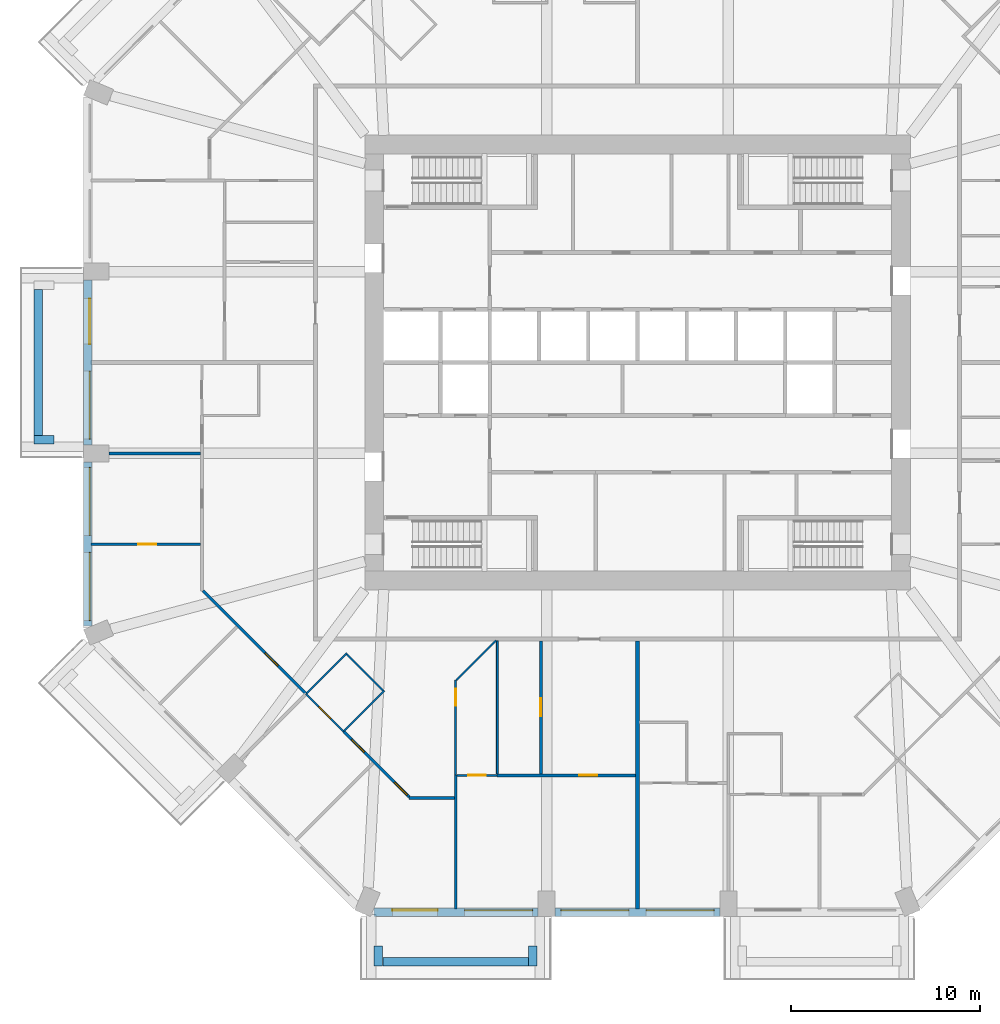
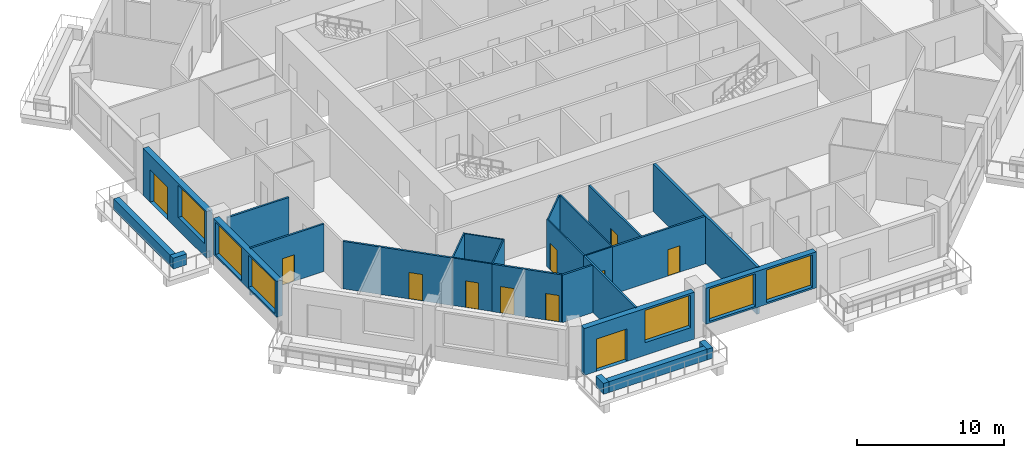
# One storey, part 3 of 13: 26 walls, 11 doors, 6 windows, 17 openings.
"""IFC4 building model written with IfcOpenShell, lengths in metres."""

from ifc_helpers import new_model, si_unit, direction, frame, frame_2d, origin, place, context, subcontext, project, spatial, rectangle, extrude, material, layer, layer_set, type_object, element, fill, save


model = new_model("IFC4")

# Units and contexts
model_context = context("Model", 3, precision=1e-05, world=origin(), true_north=direction((0.0, 1.0)))
body_context = subcontext(model_context, "Body", "Model", "MODEL_VIEW")
ifc_project = project(units=[si_unit("LENGTHUNIT", "METRE"), si_unit("AREAUNIT", "SQUARE_METRE"), si_unit("VOLUMEUNIT", "CUBIC_METRE"), si_unit("PLANEANGLEUNIT", "RADIAN"), si_unit("MASSUNIT", "GRAM", prefix="KILO")], contexts=[model_context])

# Site, building, storey
site_placement = place(None, origin())
site = spatial("IfcSite", under=ifc_project, at=site_placement, CompositionType="ELEMENT")
building_placement = place(site_placement, origin())
building = spatial("IfcBuilding", under=site, at=building_placement, Name="Msitu Wima Residences", CompositionType="ELEMENT")
storey_placement = place(building_placement, frame((0.0, 0.0, 46.5)))
storey = spatial("IfcBuildingStorey", under=building, at=storey_placement, Name="L10", CompositionType="ELEMENT", Elevation=46.5)

# Walls
ifc_material_1 = material(Name="Facing brick")
ifc_layer_1 = layer(ifc_material_1, 0.06494140625, Name="Facing brick")
ifc_material_2 = material(Name="Concrete C40/50", Category="concrete")
ifc_layer_2 = layer(ifc_material_2, 0.156005859375, Name="Concrete C40/50")
ifc_material_3 = material(Name="Waterproofing membrane")
ifc_layer_3 = layer(ifc_material_3, 0.00390625, Name="Waterproofing membrane")
ifc_material_4 = material(Name="Planting soil and planting")
ifc_layer_4 = layer(ifc_material_4, 0.22509765625, Name="Planting soil and planting")
ifc_layer_set_1 = layer_set([ifc_layer_1, ifc_layer_2, ifc_layer_3, ifc_layer_4], Name="Concrete C40/50")
wall_type_1 = type_object("IfcWallType", Name="Balcony planter PLANTER PL450", PredefinedType="USERDEFINED", material=ifc_layer_set_1)
wall_1_placement = place(storey_placement, frame((-31.625, 3.85009765625, 0.0), z_axis=(0.0, 0.0, 1.0), x_axis=(0.0, -1.0, 0.0)))
element("IfcWall", 1, at=wall_1_placement, inside=storey, type_object=wall_type_1, Name="Balcony planter W1 L10", ObjectType="PLANTER", PredefinedType="USERDEFINED", context=body_context, shape_type="SweptSolid", body=[
    extrude(rectangle(XDim=7.7001953125, YDim=0.449951171875, at=frame_2d((3.85009765625, 0.0))), origin(), (0.0, 0.0, 1.0), 0.89990234375),
])
wall_2_placement = place(storey_placement, frame((-30.800048828125, -4.074951171875, 0.0), z_axis=(0.0, 0.0, 1.0), x_axis=(-1.0, 0.0, 0.0)))
element("IfcWall", 2, at=wall_2_placement, inside=storey, type_object=wall_type_1, Name="Balcony planter W1 L10", ObjectType="PLANTER", PredefinedType="USERDEFINED", context=body_context, shape_type="SweptSolid", body=[
    extrude(rectangle(XDim=1.050048828125, YDim=0.449951171875, at=frame_2d((0.52490234375, 0.0))), origin(), (0.0, 0.0, 1.0), 0.89990234375),
])
wall_3_placement = place(storey_placement, frame((-13.449951171875, -31.625, 0.0), z_axis=(0.0, 0.0, 1.0), x_axis=(1.0, 0.0, 0.0)))
element("IfcWall", 3, at=wall_3_placement, inside=storey, type_object=wall_type_1, Name="Balcony planter S0 L10", ObjectType="PLANTER", PredefinedType="USERDEFINED", context=body_context, shape_type="SweptSolid", body=[
    extrude(rectangle(XDim=7.699951171875, YDim=0.449951171875, at=frame_2d((3.85009765625, 0.0))), origin(), (0.0, 0.0, 1.0), 0.89990234375),
])
for number, where, z_axis, x_axis, name in (
    (4, (-13.675048828125, -30.800048828125, 0.0), (0.0, 0.0, 1.0), (0.0, -1.0, 0.0), "Balcony planter S0 L10"),
    (5, (-5.52490234375, -30.800048828125, 0.0), (0.0, 0.0, 1.0), (0.0, -1.0, 0.0), "Balcony planter S0 L10"),
):
    element("IfcWall", number, at=place(storey_placement, frame(where, z_axis=z_axis, x_axis=x_axis)), inside=storey, type_object=wall_type_1, Name=name, ObjectType="PLANTER", PredefinedType="USERDEFINED", context=body_context, shape_type="SweptSolid", body=[
        extrude(rectangle(XDim=1.050048828125, YDim=0.449951171875, at=frame_2d((0.52490234375, 0.0))), origin(), (0.0, 0.0, 1.0), 0.89990234375),
    ])

# Wall, openings, door, window
ifc_material_5 = material(Name="Brick (red buff mix)", Category="masonry")
ifc_layer_5 = layer(ifc_material_5, 0.449951171875)
ifc_layer_set_2 = layer_set([ifc_layer_5], Name="Brick (red buff mix)")
wall_type_2 = type_object("IfcWallType", Name="Brick infill wall BW450", PredefinedType="SOLIDWALL", material=ifc_layer_set_2)
wall_4_placement = place(storey_placement, frame((-29.02490234375, 4.35009765625, 0.0), z_axis=(0.0, 0.0, 1.0), x_axis=(0.0, -1.0, 0.0)))
wall_4 = element("IfcWall", 6, at=wall_4_placement, inside=storey, type_object=wall_type_2, Name="Brick infill wall L10 W1", PredefinedType="SOLIDWALL", context=body_context, shape_type="SweptSolid", body=[
    extrude(rectangle(XDim=8.7001953125, YDim=0.449951171875, at=frame_2d((4.35009765625, 0.0))), origin(), (0.0, 0.0, 1.0), 3.89990234375),
])
opening_1_placement = place(wall_4_placement, frame((0.97509765625, 0.0, 0.0)))
opening_1 = element("IfcOpeningElement", 7, at=opening_1_placement, cuts=wall_4, Name="Opening D08-10.010", PredefinedType="OPENING", context=body_context, shape_type="SweptSolid", body=[
    extrude(rectangle(XDim=2.39990234375, YDim=2.699951171875, at=frame_2d((1.199951171875, 1.35009765625))), frame((0.0, 0.23486328125, 0.0), z_axis=(0.0, -1.0, 0.0), x_axis=(1.0, 0.0, 0.0)), (0.0, 0.0, 1.0), 0.469970703125),
])
opening_2_placement = place(wall_4_placement, frame((4.800048828125, 0.0, 1.050048828125)))
opening_2 = element("IfcOpeningElement", 8, at=opening_2_placement, cuts=wall_4, Name="Opening W08-10.028", PredefinedType="OPENING", context=body_context, shape_type="SweptSolid", body=[
    extrude(rectangle(XDim=3.60009765625, YDim=2.699951171875, at=frame_2d((1.800048828125, 1.35009765625))), frame((0.0, 0.23486328125, 0.0), z_axis=(0.0, -1.0, 0.0), x_axis=(1.0, 0.0, 0.0)), (0.0, 0.0, 1.0), 0.469970703125),
])
ifc_material_6 = material(Name="Anodised aluminium, bronze finish, clear low-emissivity double glazing", Category="aluminium")
door_type_1 = type_object("IfcDoorType", Name="Balcony door D2400x2700", OperationType="SLIDING_TO_LEFT", PredefinedType="DOOR", material=ifc_material_6)
door_1_placement = place(opening_1_placement, origin())
door_1 = element("IfcDoor", 9, at=door_1_placement, inside=storey, type_object=door_type_1, Name="Balcony door L10 W1", OperationType="SINGLE_SWING_LEFT", OverallHeight=2.699951171875, OverallWidth=2.39990234375, PredefinedType="DOOR", context=body_context, shape_type="SweptSolid", body=[
    extrude(rectangle(XDim=2.39990234375, YDim=2.699951171875, at=frame_2d((1.199951171875, 1.35009765625))), frame((0.0, 0.1298828125, 0.0), z_axis=(0.0, -1.0, 0.0), x_axis=(1.0, 0.0, 0.0)), (0.0, 0.0, 1.0), 0.050048828125),
])
fill(opening_1, door_1)
window_type = type_object("IfcWindowType", Name="Window W3600x2700", PartitioningType="DOUBLE_PANEL_VERTICAL", PredefinedType="WINDOW", material=ifc_material_6)
window_1_placement = place(opening_2_placement, origin())
window_1 = element("IfcWindow", 10, at=window_1_placement, inside=storey, type_object=window_type, Name="Window L10 W1.2", OverallHeight=2.699951171875, OverallWidth=3.60009765625, PartitioningType="SINGLE_PANEL", PredefinedType="WINDOW", context=body_context, shape_type="SweptSolid", body=[
    extrude(rectangle(XDim=3.60009765625, YDim=2.699951171875, at=frame_2d((1.800048828125, 1.35009765625))), frame((0.0, 0.135009765625, 0.0), z_axis=(0.0, -1.0, 0.0), x_axis=(1.0, 0.0, 0.0)), (0.0, 0.0, 1.0), 0.06005859375),
])
fill(opening_2, window_1)

# Wall, openings, windows
wall_5_placement = place(storey_placement, frame((-29.02490234375, -5.25, 0.89990234375), z_axis=(0.0, 0.0, 1.0), x_axis=(0.0, -1.0, 0.0)))
wall_5 = element("IfcWall", 11, at=wall_5_placement, inside=storey, type_object=wall_type_2, Name="Brick infill wall L10 W2", PredefinedType="SOLIDWALL", context=body_context, shape_type="SweptSolid", body=[
    extrude(rectangle(XDim=8.662841796875, YDim=0.449951171875, at=frame_2d((4.33154296875, 0.0))), origin(), (0.0, 0.0, 1.0), 3.0),
])
opening_3_placement = place(wall_5_placement, frame((0.281494140625, 0.0, 0.14990234375)))
opening_3 = element("IfcOpeningElement", 12, at=opening_3_placement, cuts=wall_5, Name="Opening W08-10.029", PredefinedType="OPENING", context=body_context, shape_type="SweptSolid", body=[
    extrude(rectangle(XDim=3.60009765625, YDim=2.699951171875, at=frame_2d((1.800048828125, 1.35009765625))), frame((0.0, 0.23486328125, 0.0), z_axis=(0.0, -1.0, 0.0), x_axis=(1.0, 0.0, 0.0)), (0.0, 0.0, 1.0), 0.469970703125),
])
opening_4_placement = place(wall_5_placement, frame((4.781494140625, 0.0, 0.14990234375)))
opening_4 = element("IfcOpeningElement", 13, at=opening_4_placement, cuts=wall_5, Name="Opening W08-10.030", PredefinedType="OPENING", context=body_context, shape_type="SweptSolid", body=[
    extrude(rectangle(XDim=3.60009765625, YDim=2.699951171875, at=frame_2d((1.800048828125, 1.35009765625))), frame((0.0, 0.23486328125, 0.0), z_axis=(0.0, -1.0, 0.0), x_axis=(1.0, 0.0, 0.0)), (0.0, 0.0, 1.0), 0.469970703125),
])
window_2_placement = place(opening_3_placement, origin())
window_2 = element("IfcWindow", 14, at=window_2_placement, inside=storey, type_object=window_type, Name="Window L10 W2.1", OverallHeight=2.699951171875, OverallWidth=3.60009765625, PartitioningType="SINGLE_PANEL", PredefinedType="WINDOW", context=body_context, shape_type="SweptSolid", body=[
    extrude(rectangle(XDim=3.60009765625, YDim=2.699951171875, at=frame_2d((1.800048828125, 1.35009765625))), frame((0.0, 0.135009765625, 0.0), z_axis=(0.0, -1.0, 0.0), x_axis=(1.0, 0.0, 0.0)), (0.0, 0.0, 1.0), 0.06005859375),
])
fill(opening_3, window_2)
window_3_placement = place(opening_4_placement, origin())
window_3 = element("IfcWindow", 15, at=window_3_placement, inside=storey, type_object=window_type, Name="Window L10 W2.2", OverallHeight=2.699951171875, OverallWidth=3.60009765625, PartitioningType="SINGLE_PANEL", PredefinedType="WINDOW", context=body_context, shape_type="SweptSolid", body=[
    extrude(rectangle(XDim=3.60009765625, YDim=2.699951171875, at=frame_2d((1.800048828125, 1.35009765625))), frame((0.0, 0.135009765625, 0.0), z_axis=(0.0, -1.0, 0.0), x_axis=(1.0, 0.0, 0.0)), (0.0, 0.0, 1.0), 0.06005859375),
])
fill(opening_4, window_3)

# Wall, openings, door, window
wall_6_placement = place(storey_placement, frame((-13.912841796875, -29.02490234375, 0.0), z_axis=(0.0, 0.0, 1.0), x_axis=(1.0, 0.0, 0.0)))
wall_6 = element("IfcWall", 16, at=wall_6_placement, inside=storey, type_object=wall_type_2, Name="Brick infill wall L10 S0", PredefinedType="SOLIDWALL", context=body_context, shape_type="SweptSolid", body=[
    extrude(rectangle(XDim=8.662841796875, YDim=0.449951171875, at=frame_2d((4.33154296875, 0.0))), origin(), (0.0, 0.0, 1.0), 3.89990234375),
])
opening_5_placement = place(wall_6_placement, frame((0.9658203125, 0.0, 0.0)))
opening_5 = element("IfcOpeningElement", 17, at=opening_5_placement, cuts=wall_6, Name="Opening D08-10.006", PredefinedType="OPENING", context=body_context, shape_type="SweptSolid", body=[
    extrude(rectangle(XDim=2.39990234375, YDim=2.699951171875, at=frame_2d((1.199951171875, 1.35009765625))), frame((0.0, 0.23486328125, 0.0), z_axis=(0.0, -1.0, 0.0), x_axis=(1.0, 0.0, 0.0)), (0.0, 0.0, 1.0), 0.469970703125),
])
opening_6_placement = place(wall_6_placement, frame((4.781494140625, 0.0, 1.050048828125)))
opening_6 = element("IfcOpeningElement", 18, at=opening_6_placement, cuts=wall_6, Name="Opening W08-10.016", PredefinedType="OPENING", context=body_context, shape_type="SweptSolid", body=[
    extrude(rectangle(XDim=3.60009765625, YDim=2.699951171875, at=frame_2d((1.800048828125, 1.35009765625))), frame((0.0, 0.23486328125, 0.0), z_axis=(0.0, -1.0, 0.0), x_axis=(1.0, 0.0, 0.0)), (0.0, 0.0, 1.0), 0.469970703125),
])
door_2_placement = place(opening_5_placement, origin())
door_2 = element("IfcDoor", 19, at=door_2_placement, inside=storey, type_object=door_type_1, Name="Balcony door L10 S0", OperationType="SINGLE_SWING_LEFT", OverallHeight=2.699951171875, OverallWidth=2.39990234375, PredefinedType="DOOR", context=body_context, shape_type="SweptSolid", body=[
    extrude(rectangle(XDim=2.39990234375, YDim=2.699951171875, at=frame_2d((1.199951171875, 1.35009765625))), frame((0.0, 0.1298828125, 0.0), z_axis=(0.0, -1.0, 0.0), x_axis=(1.0, 0.0, 0.0)), (0.0, 0.0, 1.0), 0.050048828125),
])
fill(opening_5, door_2)
window_4_placement = place(opening_6_placement, origin())
window_4 = element("IfcWindow", 20, at=window_4_placement, inside=storey, type_object=window_type, Name="Window L10 S0.2", OverallHeight=2.699951171875, OverallWidth=3.60009765625, PartitioningType="SINGLE_PANEL", PredefinedType="WINDOW", context=body_context, shape_type="SweptSolid", body=[
    extrude(rectangle(XDim=3.60009765625, YDim=2.699951171875, at=frame_2d((1.800048828125, 1.35009765625))), frame((0.0, 0.135009765625, 0.0), z_axis=(0.0, -1.0, 0.0), x_axis=(1.0, 0.0, 0.0)), (0.0, 0.0, 1.0), 0.06005859375),
])
fill(opening_6, window_4)

# Wall, openings, windows
wall_7_placement = place(storey_placement, frame((-4.35009765625, -29.02490234375, 0.89990234375), z_axis=(0.0, 0.0, 1.0), x_axis=(1.0, 0.0, 0.0)))
wall_7 = element("IfcWall", 21, at=wall_7_placement, inside=storey, type_object=wall_type_2, Name="Brick infill wall L10 S1", PredefinedType="SOLIDWALL", context=body_context, shape_type="SweptSolid", body=[
    extrude(rectangle(XDim=8.7001953125, YDim=0.449951171875, at=frame_2d((4.35009765625, 0.0))), origin(), (0.0, 0.0, 1.0), 3.0),
])
opening_7_placement = place(wall_7_placement, frame((0.300048828125, 0.0, 0.14990234375)))
opening_7 = element("IfcOpeningElement", 22, at=opening_7_placement, cuts=wall_7, Name="Opening W08-10.017", PredefinedType="OPENING", context=body_context, shape_type="SweptSolid", body=[
    extrude(rectangle(XDim=3.60009765625, YDim=2.699951171875, at=frame_2d((1.800048828125, 1.35009765625))), frame((0.0, 0.23486328125, 0.0), z_axis=(0.0, -1.0, 0.0), x_axis=(1.0, 0.0, 0.0)), (0.0, 0.0, 1.0), 0.469970703125),
])
opening_8_placement = place(wall_7_placement, frame((4.800048828125, 0.0, 0.14990234375)))
opening_8 = element("IfcOpeningElement", 23, at=opening_8_placement, cuts=wall_7, Name="Opening W08-10.018", PredefinedType="OPENING", context=body_context, shape_type="SweptSolid", body=[
    extrude(rectangle(XDim=3.60009765625, YDim=2.699951171875, at=frame_2d((1.800048828125, 1.35009765625))), frame((0.0, 0.23486328125, 0.0), z_axis=(0.0, -1.0, 0.0), x_axis=(1.0, 0.0, 0.0)), (0.0, 0.0, 1.0), 0.469970703125),
])
window_5_placement = place(opening_7_placement, origin())
window_5 = element("IfcWindow", 24, at=window_5_placement, inside=storey, type_object=window_type, Name="Window L10 S1.1", OverallHeight=2.699951171875, OverallWidth=3.60009765625, PartitioningType="SINGLE_PANEL", PredefinedType="WINDOW", context=body_context, shape_type="SweptSolid", body=[
    extrude(rectangle(XDim=3.60009765625, YDim=2.699951171875, at=frame_2d((1.800048828125, 1.35009765625))), frame((0.0, 0.135009765625, 0.0), z_axis=(0.0, -1.0, 0.0), x_axis=(1.0, 0.0, 0.0)), (0.0, 0.0, 1.0), 0.06005859375),
])
fill(opening_7, window_5)
window_6_placement = place(opening_8_placement, origin())
window_6 = element("IfcWindow", 25, at=window_6_placement, inside=storey, type_object=window_type, Name="Window L10 S1.2", OverallHeight=2.699951171875, OverallWidth=3.60009765625, PartitioningType="SINGLE_PANEL", PredefinedType="WINDOW", context=body_context, shape_type="SweptSolid", body=[
    extrude(rectangle(XDim=3.60009765625, YDim=2.699951171875, at=frame_2d((1.800048828125, 1.35009765625))), frame((0.0, 0.135009765625, 0.0), z_axis=(0.0, -1.0, 0.0), x_axis=(1.0, 0.0, 0.0)), (0.0, 0.0, 1.0), 0.06005859375),
])
fill(opening_8, window_6)

# Wall, opening, door
ifc_material_7 = material(Name="Plaster")
ifc_layer_6 = layer(ifc_material_7, 0.011962890625, Name="Plaster")
ifc_material_8 = material(Name="Concrete blockwork", Category="masonry")
ifc_layer_7 = layer(ifc_material_8, 0.1259765625, Name="Concrete blockwork")
ifc_layer_8 = layer(ifc_material_7, 0.011962890625, Name="Plaster")
ifc_layer_set_3 = layer_set([ifc_layer_6, ifc_layer_7, ifc_layer_8], Name="Concrete blockwork")
wall_type_3 = type_object("IfcWallType", Name="Partition PW150", PredefinedType="PARTITIONING", material=ifc_layer_set_3)
wall_8_placement = place(storey_placement, frame((-28.85498046875, -9.60009765625, 0.0), z_axis=(0.0, 0.0, 1.0), x_axis=(1.0, 0.0, 0.0)))
wall_8 = element("IfcWall", 26, at=wall_8_placement, inside=storey, type_object=wall_type_3, Name="Partition", PredefinedType="PARTITIONING", context=body_context, shape_type="SweptSolid", body=[
    extrude(rectangle(XDim=5.780029296875, YDim=0.14990234375, at=frame_2d((2.89013671875, 0.0))), origin(), (0.0, 0.0, 1.0), 3.949951171875),
])
opening_9_placement = place(wall_8_placement, frame((2.5, 0.0, 0.0)))
opening_9 = element("IfcOpeningElement", 27, at=opening_9_placement, cuts=wall_8, Name="Opening D08-10.069", PredefinedType="OPENING", context=body_context, shape_type="SweptSolid", body=[
    extrude(rectangle(XDim=0.949951171875, YDim=2.199951171875, at=frame_2d((0.47509765625, 1.10009765625))), frame((0.0, 0.0849609375, 0.0), z_axis=(0.0, -1.0, 0.0), x_axis=(1.0, 0.0, 0.0)), (0.0, 0.0, 1.0), 0.169921875),
])
ifc_material_9 = material(Name="Timber flush door", Category="wood")
door_type_2 = type_object("IfcDoorType", Name="Room door D12 950x2200", OperationType="SINGLE_SWING_LEFT", PredefinedType="DOOR", material=ifc_material_9)
door_3_placement = place(opening_9_placement, origin())
door_3 = element("IfcDoor", 28, at=door_3_placement, inside=storey, type_object=door_type_2, Name="Room door", OperationType="SINGLE_SWING_LEFT", OverallHeight=2.199951171875, OverallWidth=0.949951171875, PredefinedType="DOOR", context=body_context, shape_type="SweptSolid", body=[
    extrude(rectangle(XDim=0.949951171875, YDim=2.199951171875, at=frame_2d((0.47509765625, 1.10009765625))), frame((0.0, 0.02490234375, 0.0), z_axis=(0.0, -1.0, 0.0), x_axis=(1.0, 0.0, 0.0)), (0.0, 0.0, 1.0), 0.050048828125),
])
fill(opening_9, door_3)

# Wall
wall_9_placement = place(storey_placement, frame((-27.89990234375, -4.800048828125, 0.0), z_axis=(0.0, 0.0, 1.0), x_axis=(1.0, 0.0, 0.0)))
element("IfcWall", 29, at=wall_9_placement, inside=storey, type_object=wall_type_3, Name="Partition", PredefinedType="PARTITIONING", context=body_context, shape_type="SweptSolid", body=[
    extrude(rectangle(XDim=4.824951171875, YDim=0.14990234375, at=frame_2d((2.41259765625, 0.0))), origin(), (0.0, 0.0, 1.0), 3.25),
])

# Wall, opening, door
wall_10_placement = place(storey_placement, frame((-22.947021484375, -12.050537109375, 0.0), z_axis=(0.0, 0.0, 1.0), x_axis=(0.707106781187, -0.707106781187, 0.0)))
wall_10 = element("IfcWall", 30, at=wall_10_placement, inside=storey, type_object=wall_type_3, Name="Partition", PredefinedType="PARTITIONING", context=body_context, shape_type="SweptSolid", body=[
    extrude(rectangle(XDim=7.705078125, YDim=0.14990234375, at=frame_2d((3.8525390625, 0.0))), origin(), (0.0, 0.0, 1.0), 3.949951171875),
])
opening_10_placement = place(wall_10_placement, frame((4.64990234375, 0.0, 0.0)))
opening_10 = element("IfcOpeningElement", 31, at=opening_10_placement, cuts=wall_10, Name="Opening D08-10.064", PredefinedType="OPENING", context=body_context, shape_type="SweptSolid", body=[
    extrude(rectangle(XDim=0.949951171875, YDim=2.199951171875, at=frame_2d((0.47509765625, 1.10009765625))), frame((0.0, 0.0849609375, 0.0), z_axis=(0.0, -1.0, 0.0), x_axis=(1.0, 0.0, 0.0)), (0.0, 0.0, 1.0), 0.169921875),
])
door_4_placement = place(opening_10_placement, origin())
door_4 = element("IfcDoor", 32, at=door_4_placement, inside=storey, type_object=door_type_2, Name="Room door", OperationType="SINGLE_SWING_RIGHT", OverallHeight=2.199951171875, OverallWidth=0.949951171875, PredefinedType="DOOR", context=body_context, shape_type="SweptSolid", body=[
    extrude(rectangle(XDim=0.949951171875, YDim=2.199951171875, at=frame_2d((0.47509765625, 1.10009765625))), frame((0.0, 0.02490234375, 0.0), z_axis=(0.0, -1.0, 0.0), x_axis=(1.0, 0.0, 0.0)), (0.0, 0.0, 1.0), 0.050048828125),
])
fill(opening_10, door_4)

# Wall, openings, doors
wall_11_placement = place(storey_placement, frame((-15.518798828125, -19.478759765625, 0.0), z_axis=(0.0, 0.0, 1.0), x_axis=(0.707106781187, -0.707106781187, 0.0)))
wall_11 = element("IfcWall", 33, at=wall_11_placement, inside=storey, type_object=wall_type_3, Name="Partition", PredefinedType="PARTITIONING", context=body_context, shape_type="SweptSolid", body=[
    extrude(rectangle(XDim=4.90478515625, YDim=0.14990234375, at=frame_2d((2.452392578125, 0.0))), origin(), (0.0, 0.0, 1.0), 3.949951171875),
])
opening_11_placement = place(wall_11_placement, frame((0.60009765625, 0.0, 0.0)))
opening_11 = element("IfcOpeningElement", 34, at=opening_11_placement, cuts=wall_11, Name="Opening D08-10.065", PredefinedType="OPENING", context=body_context, shape_type="SweptSolid", body=[
    extrude(rectangle(XDim=0.949951171875, YDim=2.199951171875, at=frame_2d((0.47509765625, 1.10009765625))), frame((0.0, 0.0849609375, 0.0), z_axis=(0.0, -1.0, 0.0), x_axis=(1.0, 0.0, 0.0)), (0.0, 0.0, 1.0), 0.169921875),
])
opening_12_placement = place(wall_11_placement, frame((3.800048828125, 0.0, 0.0)))
opening_12 = element("IfcOpeningElement", 35, at=opening_12_placement, cuts=wall_11, Name="Opening D08-10.070", PredefinedType="OPENING", context=body_context, shape_type="SweptSolid", body=[
    extrude(rectangle(XDim=0.949951171875, YDim=2.199951171875, at=frame_2d((0.47509765625, 1.10009765625))), frame((0.0, 0.0849609375, 0.0), z_axis=(0.0, -1.0, 0.0), x_axis=(1.0, 0.0, 0.0)), (0.0, 0.0, 1.0), 0.169921875),
])
door_5_placement = place(opening_11_placement, origin())
door_5 = element("IfcDoor", 36, at=door_5_placement, inside=storey, type_object=door_type_2, Name="Room door", OperationType="SINGLE_SWING_LEFT", OverallHeight=2.199951171875, OverallWidth=0.949951171875, PredefinedType="DOOR", context=body_context, shape_type="SweptSolid", body=[
    extrude(rectangle(XDim=0.949951171875, YDim=2.199951171875, at=frame_2d((0.47509765625, 1.10009765625))), frame((0.0, 0.02490234375, 0.0), z_axis=(0.0, -1.0, 0.0), x_axis=(1.0, 0.0, 0.0)), (0.0, 0.0, 1.0), 0.050048828125),
])
fill(opening_11, door_5)
door_6_placement = place(opening_12_placement, origin())
door_6 = element("IfcDoor", 37, at=door_6_placement, inside=storey, type_object=door_type_2, Name="Room door", OperationType="SINGLE_SWING_RIGHT", OverallHeight=2.199951171875, OverallWidth=0.949951171875, PredefinedType="DOOR", context=body_context, shape_type="SweptSolid", body=[
    extrude(rectangle(XDim=0.949951171875, YDim=2.199951171875, at=frame_2d((0.47509765625, 1.10009765625))), frame((0.0, 0.02490234375, 0.0), z_axis=(0.0, -1.0, 0.0), x_axis=(1.0, 0.0, 0.0)), (0.0, 0.0, 1.0), 0.050048828125),
])
fill(opening_12, door_6)

# Walls
wall_12_placement = place(storey_placement, frame((-12.072509765625, -23.0, 0.0), z_axis=(0.0, 0.0, 1.0), x_axis=(1.0, 0.0, 0.0)))
element("IfcWall", 38, at=wall_12_placement, inside=storey, type_object=wall_type_3, Name="Partition", PredefinedType="PARTITIONING", context=body_context, shape_type="SweptSolid", body=[
    extrude(rectangle(XDim=2.3974609375, YDim=0.14990234375, at=frame_2d((1.19873046875, 0.0))), origin(), (0.0, 0.0, 1.0), 3.949951171875),
])
wall_13_placement = place(storey_placement, frame((-9.60009765625, -28.85498046875, 0.0), z_axis=(0.0, 0.0, 1.0), x_axis=(0.0, 1.0, 0.0)))
element("IfcWall", 39, at=wall_13_placement, inside=storey, type_object=wall_type_3, Name="Partition", PredefinedType="PARTITIONING", context=body_context, shape_type="SweptSolid", body=[
    extrude(rectangle(XDim=7.074951171875, YDim=0.14990234375, at=frame_2d((3.53759765625, 0.0))), origin(), (0.0, 0.0, 1.0), 3.949951171875),
])

# Wall, opening, door
wall_14_placement = place(storey_placement, frame((-7.419921875, -21.800048828125, 0.0), z_axis=(0.0, 0.0, 1.0), x_axis=(1.0, 0.0, 0.0)))
wall_14 = element("IfcWall", 40, at=wall_14_placement, inside=storey, type_object=wall_type_3, Name="Partition", PredefinedType="PARTITIONING", context=body_context, shape_type="SweptSolid", body=[
    extrude(rectangle(XDim=7.31982421875, YDim=0.14990234375, at=frame_2d((3.659912109375, 0.0))), origin(), (0.0, 0.0, 1.0), 3.949951171875),
])
opening_13_placement = place(wall_14_placement, frame((4.35009765625, 0.0, 0.0)))
opening_13 = element("IfcOpeningElement", 41, at=opening_13_placement, cuts=wall_14, Name="Opening D08-10.058", PredefinedType="OPENING", context=body_context, shape_type="SweptSolid", body=[
    extrude(rectangle(XDim=0.949951171875, YDim=2.199951171875, at=frame_2d((0.47509765625, 1.10009765625))), frame((0.0, 0.0849609375, 0.0), z_axis=(0.0, -1.0, 0.0), x_axis=(1.0, 0.0, 0.0)), (0.0, 0.0, 1.0), 0.169921875),
])
door_7_placement = place(opening_13_placement, origin())
door_7 = element("IfcDoor", 42, at=door_7_placement, inside=storey, type_object=door_type_2, Name="Room door", OperationType="SINGLE_SWING_LEFT", OverallHeight=2.199951171875, OverallWidth=0.949951171875, PredefinedType="DOOR", context=body_context, shape_type="SweptSolid", body=[
    extrude(rectangle(XDim=0.949951171875, YDim=2.199951171875, at=frame_2d((0.47509765625, 1.10009765625))), frame((0.0, 0.02490234375, 0.0), z_axis=(0.0, -1.0, 0.0), x_axis=(1.0, 0.0, 0.0)), (0.0, 0.0, 1.0), 0.050048828125),
])
fill(opening_13, door_7)

wall_15_placement = place(storey_placement, frame((-5.10009765625, -21.72509765625, 0.0), z_axis=(0.0, 0.0, 1.0), x_axis=(0.0, 1.0, 0.0)))
wall_15 = element("IfcWall", 43, at=wall_15_placement, inside=storey, type_object=wall_type_3, Name="Partition", PredefinedType="PARTITIONING", context=body_context, shape_type="SweptSolid", body=[
    extrude(rectangle(XDim=7.025146484375, YDim=0.14990234375, at=frame_2d((3.5126953125, 0.0))), origin(), (0.0, 0.0, 1.0), 3.949951171875),
])
opening_14_placement = place(wall_15_placement, frame((3.050048828125, 0.0, 0.0)))
opening_14 = element("IfcOpeningElement", 44, at=opening_14_placement, cuts=wall_15, Name="Opening D08-10.059", PredefinedType="OPENING", context=body_context, shape_type="SweptSolid", body=[
    extrude(rectangle(XDim=0.949951171875, YDim=2.199951171875, at=frame_2d((0.47509765625, 1.10009765625))), frame((0.0, 0.0849609375, 0.0), z_axis=(0.0, -1.0, 0.0), x_axis=(1.0, 0.0, 0.0)), (0.0, 0.0, 1.0), 0.169921875),
])
door_8_placement = place(opening_14_placement, origin())
door_8 = element("IfcDoor", 45, at=door_8_placement, inside=storey, type_object=door_type_2, Name="Room door", OperationType="SINGLE_SWING_RIGHT", OverallHeight=2.199951171875, OverallWidth=0.949951171875, PredefinedType="DOOR", context=body_context, shape_type="SweptSolid", body=[
    extrude(rectangle(XDim=0.949951171875, YDim=2.199951171875, at=frame_2d((0.47509765625, 1.10009765625))), frame((0.0, 0.02490234375, 0.0), z_axis=(0.0, -1.0, 0.0), x_axis=(1.0, 0.0, 0.0)), (0.0, 0.0, 1.0), 0.050048828125),
])
fill(opening_14, door_8)

# Walls
ifc_layer_9 = layer(ifc_material_7, 0.011962890625, Name="Plaster")
ifc_material_10 = material(Name="Dense concrete blockwork", Category="masonry")
ifc_layer_10 = layer(ifc_material_10, 0.176025390625, Name="Dense concrete blockwork")
ifc_layer_11 = layer(ifc_material_7, 0.011962890625, Name="Plaster")
ifc_layer_set_4 = layer_set([ifc_layer_9, ifc_layer_10, ifc_layer_11], Name="Dense concrete blockwork")
wall_type_4 = type_object("IfcWallType", Name="Party wall PW200", PredefinedType="PARTITIONING", material=ifc_layer_set_4)
wall_16_placement = place(storey_placement, frame((0.0, -28.85498046875, 0.0), z_axis=(0.0, 0.0, 1.0), x_axis=(0.0, 1.0, 0.0)))
element("IfcWall", 46, at=wall_16_placement, inside=storey, type_object=wall_type_4, Name="Party wall", PredefinedType="PARTITIONING", context=body_context, shape_type="SweptSolid", body=[
    extrude(rectangle(XDim=14.155029296875, YDim=0.199951171875, at=frame_2d((7.07763671875, 0.0))), origin(), (0.0, 0.0, 1.0), 3.949951171875),
])
ifc_material_11 = material(Name="Ceramic tiles")
ifc_layer_12 = layer(ifc_material_11, 0.008056640625, Name="Ceramic tiles")
ifc_material_12 = material(Name="Moisture-resistant board")
ifc_layer_13 = layer(ifc_material_12, 0.012451171875, Name="Moisture-resistant board")
ifc_material_13 = material(Name="Light-gauge stud framing with mineral wool")
ifc_layer_14 = layer(ifc_material_13, 0.06689453125, Name="Light-gauge stud framing with mineral wool")
ifc_layer_15 = layer(ifc_material_12, 0.012451171875, Name="Moisture-resistant board")
ifc_layer_set_5 = layer_set([ifc_layer_12, ifc_layer_13, ifc_layer_14, ifc_layer_15], Name="Light-gauge stud framing with mineral wool")
wall_type_5 = type_object("IfcWallType", Name="Wet wall PW100", PredefinedType="PARTITIONING", material=ifc_layer_set_5)
wall_17_placement = place(storey_placement, frame((-17.484619140625, -17.484619140625, 0.0), z_axis=(0.0, 0.0, 1.0), x_axis=(0.707106781187, 0.707106781187, 0.0)))
element("IfcWall", 47, at=wall_17_placement, inside=storey, type_object=wall_type_5, Name="Wet wall", PredefinedType="PARTITIONING", context=body_context, shape_type="SweptSolid", body=[
    extrude(rectangle(XDim=3.030029296875, YDim=0.10009765625, at=frame_2d((1.51513671875, 0.0))), origin(), (0.0, 0.0, 1.0), 3.949951171875),
])

# Wall, opening, door
wall_18_placement = place(storey_placement, frame((-17.498779296875, -17.498779296875, 0.0), z_axis=(0.0, 0.0, 1.0), x_axis=(0.707106781187, -0.707106781187, 0.0)))
wall_18 = element("IfcWall", 48, at=wall_18_placement, inside=storey, type_object=wall_type_5, Name="Wet wall", PredefinedType="PARTITIONING", context=body_context, shape_type="SweptSolid", body=[
    extrude(rectangle(XDim=2.800048828125, YDim=0.10009765625, at=frame_2d((1.39990234375, 0.0))), origin(), (0.0, 0.0, 1.0), 3.949951171875),
])
opening_15_placement = place(wall_18_placement, frame((0.949951171875, 0.0, 0.0)))
opening_15 = element("IfcOpeningElement", 49, at=opening_15_placement, cuts=wall_18, Name="Opening D08-10.066", PredefinedType="OPENING", context=body_context, shape_type="SweptSolid", body=[
    extrude(rectangle(XDim=0.89990234375, YDim=2.199951171875, at=frame_2d((0.449951171875, 1.10009765625))), frame((0.0, 0.06005859375, 0.0), z_axis=(0.0, -1.0, 0.0), x_axis=(1.0, 0.0, 0.0)), (0.0, 0.0, 1.0), 0.1201171875),
])
ifc_material_14 = material(Name="Timber flush door, moisture resistant", Category="wood")
door_type_3 = type_object("IfcDoorType", Name="Bathroom door D03 900x2200", OperationType="SINGLE_SWING_LEFT", PredefinedType="DOOR", material=ifc_material_14)
door_9_placement = place(opening_15_placement, origin())
door_9 = element("IfcDoor", 50, at=door_9_placement, inside=storey, type_object=door_type_3, Name="Bathroom door", OperationType="SINGLE_SWING_LEFT", OverallHeight=2.199951171875, OverallWidth=0.89990234375, PredefinedType="DOOR", context=body_context, shape_type="SweptSolid", body=[
    extrude(rectangle(XDim=0.89990234375, YDim=2.199951171875, at=frame_2d((0.449951171875, 1.10009765625))), frame((0.0, 0.02490234375, 0.0), z_axis=(0.0, -1.0, 0.0), x_axis=(1.0, 0.0, 0.0)), (0.0, 0.0, 1.0), 0.050048828125),
])
fill(opening_15, door_9)

# Walls
wall_19_placement = place(storey_placement, frame((-15.483642578125, -19.443359375, 0.0), z_axis=(0.0, 0.0, 1.0), x_axis=(0.707106781187, 0.707106781187, 0.0)))
element("IfcWall", 51, at=wall_19_placement, inside=storey, type_object=wall_type_5, Name="Wet wall", PredefinedType="PARTITIONING", context=body_context, shape_type="SweptSolid", body=[
    extrude(rectangle(XDim=3.0, YDim=0.10009765625, at=frame_2d((1.5, 0.0))), origin(), (0.0, 0.0, 1.0), 3.949951171875),
])
wall_20_placement = place(storey_placement, frame((-15.342041015625, -15.412841796875, 0.0), z_axis=(0.0, 0.0, 1.0), x_axis=(0.707106781187, -0.707106781187, 0.0)))
element("IfcWall", 52, at=wall_20_placement, inside=storey, type_object=wall_type_5, Name="Wet wall", PredefinedType="PARTITIONING", context=body_context, shape_type="SweptSolid", body=[
    extrude(rectangle(XDim=2.699951171875, YDim=0.10009765625, at=frame_2d((1.35009765625, 0.0))), origin(), (0.0, 0.0, 1.0), 3.949951171875),
])

# Wall, opening, door
wall_21_placement = place(storey_placement, frame((-9.60009765625, -21.780029296875, 0.0), z_axis=(0.0, 0.0, 1.0), x_axis=(0.0, 1.0, 0.0)))
wall_21 = element("IfcWall", 53, at=wall_21_placement, inside=storey, type_object=wall_type_5, Name="Wet wall", PredefinedType="PARTITIONING", context=body_context, shape_type="SweptSolid", body=[
    extrude(rectangle(XDim=5.030029296875, YDim=0.10009765625, at=frame_2d((2.51513671875, 0.0))), origin(), (0.0, 0.0, 1.0), 3.949951171875),
])
opening_16_placement = place(wall_21_placement, frame((3.64990234375, 0.0, 0.0)))
opening_16 = element("IfcOpeningElement", 54, at=opening_16_placement, cuts=wall_21, Name="Opening D08-10.061", PredefinedType="OPENING", context=body_context, shape_type="SweptSolid", body=[
    extrude(rectangle(XDim=0.89990234375, YDim=2.199951171875, at=frame_2d((0.449951171875, 1.10009765625))), frame((0.0, 0.06005859375, 0.0), z_axis=(0.0, -1.0, 0.0), x_axis=(1.0, 0.0, 0.0)), (0.0, 0.0, 1.0), 0.1201171875),
])
door_10_placement = place(opening_16_placement, origin())
door_10 = element("IfcDoor", 55, at=door_10_placement, inside=storey, type_object=door_type_3, Name="Bathroom door", OperationType="SINGLE_SWING_LEFT", OverallHeight=2.199951171875, OverallWidth=0.89990234375, PredefinedType="DOOR", context=body_context, shape_type="SweptSolid", body=[
    extrude(rectangle(XDim=0.89990234375, YDim=2.199951171875, at=frame_2d((0.449951171875, 1.10009765625))), frame((0.0, 0.02490234375, 0.0), z_axis=(0.0, -1.0, 0.0), x_axis=(1.0, 0.0, 0.0)), (0.0, 0.0, 1.0), 0.050048828125),
])
fill(opening_16, door_10)

wall_22_placement = place(storey_placement, frame((-9.52490234375, -21.800048828125, 0.0), z_axis=(0.0, 0.0, 1.0), x_axis=(1.0, 0.0, 0.0)))
wall_22 = element("IfcWall", 56, at=wall_22_placement, inside=storey, type_object=wall_type_5, Name="Wet wall", PredefinedType="PARTITIONING", context=body_context, shape_type="SweptSolid", body=[
    extrude(rectangle(XDim=2.10498046875, YDim=0.10009765625, at=frame_2d((1.052490234375, 0.0))), origin(), (0.0, 0.0, 1.0), 3.949951171875),
])
opening_17_placement = place(wall_22_placement, frame((0.60009765625, 0.0, 0.0)))
opening_17 = element("IfcOpeningElement", 57, at=opening_17_placement, cuts=wall_22, Name="Opening D08-10.060", PredefinedType="OPENING", context=body_context, shape_type="SweptSolid", body=[
    extrude(rectangle(XDim=0.89990234375, YDim=2.199951171875, at=frame_2d((0.449951171875, 1.10009765625))), frame((0.0, 0.06005859375, 0.0), z_axis=(0.0, -1.0, 0.0), x_axis=(1.0, 0.0, 0.0)), (0.0, 0.0, 1.0), 0.1201171875),
])
door_11_placement = place(opening_17_placement, origin())
door_11 = element("IfcDoor", 58, at=door_11_placement, inside=storey, type_object=door_type_3, Name="Bathroom door", OperationType="SINGLE_SWING_RIGHT", OverallHeight=2.199951171875, OverallWidth=0.89990234375, PredefinedType="DOOR", context=body_context, shape_type="SweptSolid", body=[
    extrude(rectangle(XDim=0.89990234375, YDim=2.199951171875, at=frame_2d((0.449951171875, 1.10009765625))), frame((0.0, 0.02490234375, 0.0), z_axis=(0.0, -1.0, 0.0), x_axis=(1.0, 0.0, 0.0)), (0.0, 0.0, 1.0), 0.050048828125),
])
fill(opening_17, door_11)

# Walls
wall_23_placement = place(storey_placement, frame((-9.564697265625, -16.7646484375, 0.0), z_axis=(0.0, 0.0, 1.0), x_axis=(0.707106781187, 0.707106781187, 0.0)))
element("IfcWall", 59, at=wall_23_placement, inside=storey, type_object=wall_type_5, Name="Wet wall", PredefinedType="PARTITIONING", context=body_context, shape_type="SweptSolid", body=[
    extrude(rectangle(XDim=2.96142578125, YDim=0.10009765625, at=frame_2d((1.480712890625, 0.0))), origin(), (0.0, 0.0, 1.0), 3.949951171875),
])
wall_24_placement = place(storey_placement, frame((-7.39990234375, -21.72509765625, 0.0), z_axis=(0.0, 0.0, 1.0), x_axis=(0.0, 1.0, 0.0)))
element("IfcWall", 60, at=wall_24_placement, inside=storey, type_object=wall_type_5, Name="Wet wall", PredefinedType="PARTITIONING", context=body_context, shape_type="SweptSolid", body=[
    extrude(rectangle(XDim=7.025146484375, YDim=0.10009765625, at=frame_2d((3.5126953125, 0.0))), origin(), (0.0, 0.0, 1.0), 3.949951171875),
])

save(model, "model.ifc")
